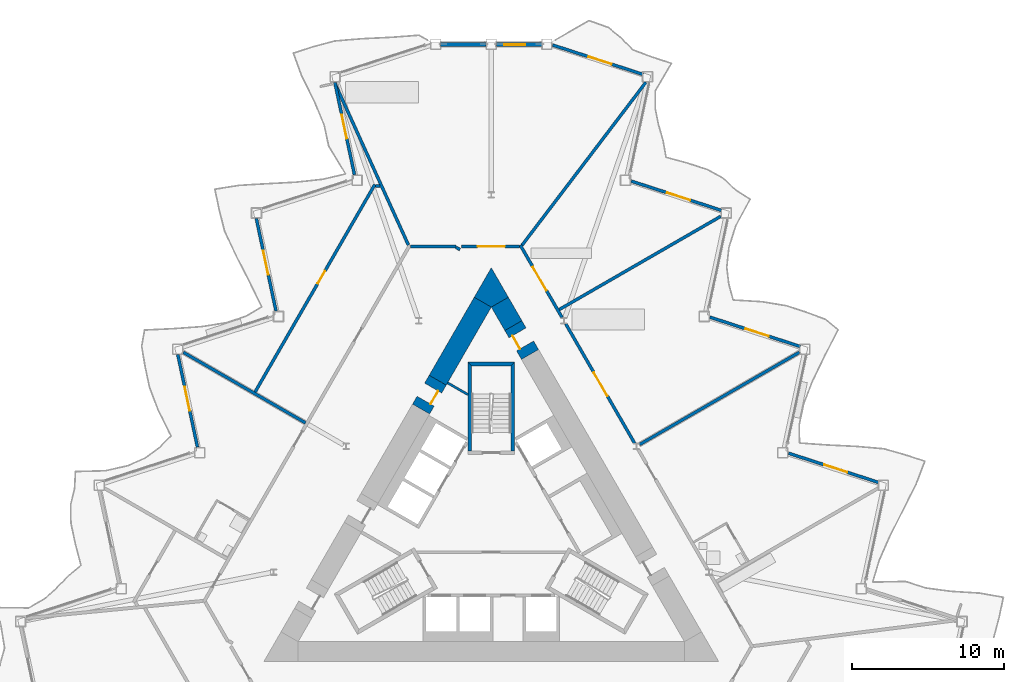
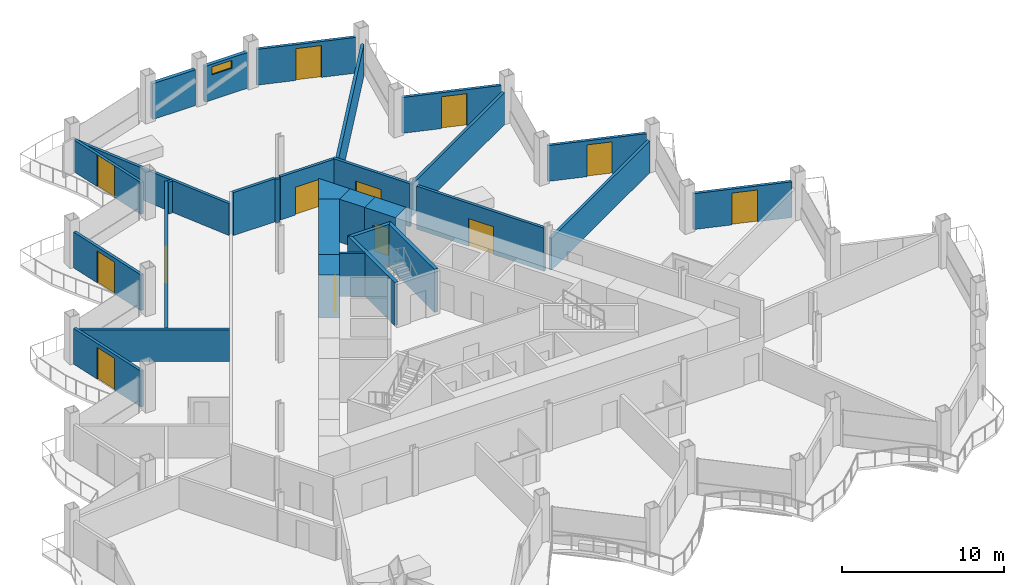
# One storey, part 14 of 23: 30 walls, 13 doors, 1 window, 14 openings.
"""IFC4 building model written with IfcOpenShell, lengths in metres."""

from ifc_helpers import new_model, si_unit, direction, frame, frame_2d, origin, place, context, subcontext, project, spatial, polyline, rectangle, outline, extrude, material, layer, layer_set, type_object, element, fill, save


model = new_model("IFC4")

# Units and contexts
model_context = context("Model", 3, precision=1e-05, world=origin(), true_north=direction((0.0, 1.0)))
body_context = subcontext(model_context, "Body", "Model", "MODEL_VIEW")
ifc_project = project(units=[si_unit("LENGTHUNIT", "METRE"), si_unit("AREAUNIT", "SQUARE_METRE"), si_unit("VOLUMEUNIT", "CUBIC_METRE"), si_unit("PLANEANGLEUNIT", "RADIAN"), si_unit("MASSUNIT", "GRAM", prefix="KILO")], contexts=[model_context])

# Site, building, storey
site_placement = place(None, origin())
site = spatial("IfcSite", under=ifc_project, at=site_placement, CompositionType="ELEMENT")
building_placement = place(site_placement, origin())
building = spatial("IfcBuilding", under=site, at=building_placement, Name="Cormorant Prow Tower", CompositionType="ELEMENT")
storey_placement = place(building_placement, frame((0.0, 0.0, 263.39990234375)))
storey = spatial("IfcBuildingStorey", under=building, at=storey_placement, Name="L59", CompositionType="ELEMENT", Elevation=263.39990234375)

# Walls
ifc_material_1 = material(Name="Gypsum board partition")
ifc_layer_1 = layer(ifc_material_1, 0.14990234375)
ifc_layer_set_1 = layer_set([ifc_layer_1], Name="Gypsum board partition")
wall_type_1 = type_object("IfcWallType", Name="Core partition 150", PredefinedType="PARTITIONING", material=ifc_layer_set_1)
wall_1_placement = place(storey_placement, frame((-2.88623046875, 9.721435546875, 0.0), z_axis=(0.0, 0.0, 1.0), x_axis=(0.865990094875, -0.500061151839, 0.0)))
element("IfcWall", 1, at=wall_1_placement, inside=storey, type_object=wall_type_1, Name="Service room partition", PredefinedType="PARTITIONING", context=body_context, shape_type="SweptSolid", body=[
    extrude(rectangle(XDim=1.559814453125, YDim=0.14990234375, at=frame_2d((0.77978515625, 0.0))), origin(), (0.0, 0.0, 1.0), 3.25),
])
ifc_material_2 = material(Name="Concrete 8000 psi", Category="concrete")
ifc_layer_2 = layer(ifc_material_2, 1.300048828125)
ifc_layer_set_2 = layer_set([ifc_layer_2], Name="Concrete 8000 psi")
wall_type_2 = type_object("IfcWallType", Name="Core shear wall 1300", PredefinedType="SHEAR", material=ifc_layer_set_2)
wall_2_placement = place(storey_placement, frame((1.4560546875, 13.49853515625, 0.0), z_axis=(0.0, 0.0, 1.0), x_axis=(-0.499990639951, 0.866030807744, 0.0)))
element("IfcWall", 2, at=wall_2_placement, inside=storey, type_object=wall_type_2, Name="Core wall", PredefinedType="SHEAR", context=body_context, shape_type="SweptSolid", body=[
    extrude(rectangle(XDim=1.7861328125, YDim=1.300048828125, at=frame_2d((0.89306640625, 0.0))), origin(), (0.0, 0.0, 1.0), 3.25),
])
wall_3_placement = place(storey_placement, frame((-0.56298828125, 15.04541015625, 0.0), z_axis=(0.0, 0.0, 1.0), x_axis=(-0.500011498138, -0.866018765229, 0.0)))
element("IfcWall", 3, at=wall_3_placement, inside=storey, type_object=wall_type_2, Name="Core wall", PredefinedType="SHEAR", context=body_context, shape_type="SweptSolid", body=[
    extrude(rectangle(XDim=5.946533203125, YDim=1.300048828125, at=frame_2d((2.97314453125, 0.0))), origin(), (0.0, 0.0, 1.0), 3.25),
])
wall_4_placement = place(storey_placement, origin())
element("IfcWall", 4, at=wall_4_placement, inside=storey, type_object=wall_type_2, Name="Core wall corner", PredefinedType="SHEAR", context=body_context, shape_type="SweptSolid", body=[
    extrude(outline(polyline([(-1.125732421875, 15.37060546875), (0.0, 17.320556640625), (1.125732421875, 15.37060546875), (0.0, 14.720458984375), (-1.125732421875, 15.37060546875)])), origin(), (0.0, 0.0, 1.0), 3.25),
])

# Wall, opening, door
wall_5_placement = place(storey_placement, frame((-3.536376953125, 9.8955078125, 0.0), z_axis=(0.0, 0.0, 1.0), x_axis=(-0.499981787252, -0.866035918664, 0.0)))
wall_5 = element("IfcWall", 5, at=wall_5_placement, inside=storey, type_object=wall_type_2, Name="Core wall door panel", PredefinedType="SHEAR", context=body_context, shape_type="SweptSolid", body=[
    extrude(rectangle(XDim=2.2001953125, YDim=1.300048828125, at=frame_2d((1.10009765625, 0.0))), origin(), (0.0, 0.0, 1.0), 3.25),
])
opening_1_placement = place(wall_5_placement, frame((0.60009765625, 0.0, 0.0)))
opening_1 = element("IfcOpeningElement", 6, at=opening_1_placement, cuts=wall_5, Name="Opening L59-C16", PredefinedType="OPENING", context=body_context, shape_type="SweptSolid", body=[
    extrude(rectangle(XDim=1.0, YDim=2.10009765625, at=frame_2d((0.5, 1.050048828125))), frame((0.0, 0.659912109375, 0.0), z_axis=(0.0, -1.0, 0.0), x_axis=(1.0, 0.0, 0.0)), (0.0, 0.0, 1.0), 1.320068359375),
])
ifc_material_3 = material(Name="Painted steel", Category="steel")
door_type_1 = type_object("IfcDoorType", Name="Service door 1000x2100", OperationType="NOTDEFINED", PredefinedType="DOOR", material=ifc_material_3)
door_1_placement = place(opening_1_placement, origin())
door_1 = element("IfcDoor", 7, at=door_1_placement, inside=storey, type_object=door_type_1, Name="Core door, Linen store", OperationType="SINGLE_SWING_LEFT", OverallHeight=2.10009765625, OverallWidth=1.0, PredefinedType="DOOR", context=body_context, shape_type="SweptSolid", body=[
    extrude(rectangle(XDim=1.0, YDim=2.10009765625, at=frame_2d((0.5, 1.050048828125))), frame((0.0, 0.40478515625, 0.0), z_axis=(0.0, -1.0, 0.0), x_axis=(1.0, 0.0, 0.0)), (0.0, 0.0, 1.0), 0.050048828125),
])
fill(opening_1, door_1)

wall_6_placement = place(storey_placement, frame((2.555908203125, 11.59326171875, 0.0), z_axis=(0.0, 0.0, 1.0), x_axis=(-0.499946605688, 0.86605622881, 0.0)))
wall_6 = element("IfcWall", 8, at=wall_6_placement, inside=storey, type_object=wall_type_2, Name="Core wall door panel", PredefinedType="SHEAR", context=body_context, shape_type="SweptSolid", body=[
    extrude(rectangle(XDim=2.199951171875, YDim=1.300048828125, at=frame_2d((1.10009765625, 0.0))), origin(), (0.0, 0.0, 1.0), 3.25),
])
opening_2_placement = place(wall_6_placement, frame((0.64990234375, 0.0, 0.0)))
opening_2 = element("IfcOpeningElement", 9, at=opening_2_placement, cuts=wall_6, Name="Opening L59-C17", PredefinedType="OPENING", context=body_context, shape_type="SweptSolid", body=[
    extrude(rectangle(XDim=1.0, YDim=2.10009765625, at=frame_2d((0.5, 1.050048828125))), frame((0.0, 0.659912109375, 0.0), z_axis=(0.0, -1.0, 0.0), x_axis=(1.0, 0.0, 0.0)), (0.0, 0.0, 1.0), 1.320068359375),
])
door_2_placement = place(opening_2_placement, origin())
door_2 = element("IfcDoor", 10, at=door_2_placement, inside=storey, type_object=door_type_1, Name="Core door, Refuse store", OperationType="SINGLE_SWING_LEFT", OverallHeight=2.10009765625, OverallWidth=1.0, PredefinedType="DOOR", context=body_context, shape_type="SweptSolid", body=[
    extrude(rectangle(XDim=1.0, YDim=2.10009765625, at=frame_2d((0.5, 1.050048828125))), frame((0.0, 0.40478515625, 0.0), z_axis=(0.0, -1.0, 0.0), x_axis=(1.0, 0.0, 0.0)), (0.0, 0.0, 1.0), 0.050048828125),
])
fill(opening_2, door_2)

ifc_material_4 = material(Name="Gypsum board corridor wall")
ifc_layer_3 = layer(ifc_material_4, 0.199951171875)
ifc_layer_set_3 = layer_set([ifc_layer_3], Name="Gypsum board corridor wall")
wall_type_3 = type_object("IfcWallType", Name="Corridor wall 200", PredefinedType="PARTITIONING", material=ifc_layer_set_3)
wall_7_placement = place(storey_placement, frame((4.91015625, 13.61572265625, 0.0), z_axis=(0.0, 0.0, 1.0), x_axis=(0.50000207303, -0.866024206917, 0.0)))
wall_7 = element("IfcWall", 11, at=wall_7_placement, inside=storey, type_object=wall_type_3, Name="Corridor wall", PredefinedType="PARTITIONING", context=body_context, shape_type="SweptSolid", body=[
    extrude(rectangle(XDim=9.0947265625, YDim=0.199951171875, at=frame_2d((4.54736328125, 0.0))), origin(), (0.0, 0.0, 1.0), 3.25),
])
opening_3_placement = place(wall_7_placement, frame((3.697998046875, 0.0, 0.0)))
opening_3 = element("IfcOpeningElement", 12, at=opening_3_placement, cuts=wall_7, Name="Opening L59-F11", PredefinedType="OPENING", context=body_context, shape_type="SweptSolid", body=[
    extrude(rectangle(XDim=1.800048828125, YDim=2.10009765625, at=frame_2d((0.89990234375, 1.050048828125))), frame((0.0, 0.10986328125, 0.0), z_axis=(0.0, -1.0, 0.0), x_axis=(1.0, 0.0, 0.0)), (0.0, 0.0, 1.0), 0.219970703125),
])
ifc_material_5 = material(Name="Timber door leaf", Category="wood")
door_type_2 = type_object("IfcDoorType", Name="Double door 1800x2100", OperationType="DOUBLE_DOOR_SINGLE_SWING", PredefinedType="DOOR", material=ifc_material_5)
door_3_placement = place(opening_3_placement, origin())
door_3 = element("IfcDoor", 13, at=door_3_placement, inside=storey, type_object=door_type_2, Name="Library door", OperationType="DOUBLE_DOOR_SINGLE_SWING", OverallHeight=2.10009765625, OverallWidth=1.800048828125, PredefinedType="DOOR", context=body_context, shape_type="SweptSolid", body=[
    extrude(rectangle(XDim=1.800048828125, YDim=2.10009765625, at=frame_2d((0.89990234375, 1.050048828125))), frame((0.0, 0.02490234375, 0.0), z_axis=(0.0, -1.0, 0.0), x_axis=(1.0, 0.0, 0.0)), (0.0, 0.0, 1.0), 0.050048828125),
])
fill(opening_3, door_3)

wall_8_placement = place(storey_placement, frame((1.9130859375, 18.80712890625, 0.0), z_axis=(0.0, 0.0, 1.0), x_axis=(0.499984524817, -0.866034338201, 0.0)))
wall_8 = element("IfcWall", 14, at=wall_8_placement, inside=storey, type_object=wall_type_3, Name="Corridor wall", PredefinedType="PARTITIONING", context=body_context, shape_type="SweptSolid", body=[
    extrude(rectangle(XDim=5.510498046875, YDim=0.199951171875, at=frame_2d((2.75537109375, 0.0))), origin(), (0.0, 0.0, 1.0), 3.25),
])
opening_4_placement = place(wall_8_placement, frame((1.654541015625, 0.0, 0.0)))
opening_4 = element("IfcOpeningElement", 15, at=opening_4_placement, cuts=wall_8, Name="Opening L59-F12", PredefinedType="OPENING", context=body_context, shape_type="SweptSolid", body=[
    extrude(rectangle(XDim=1.800048828125, YDim=2.10009765625, at=frame_2d((0.89990234375, 1.050048828125))), frame((0.0, 0.10986328125, 0.0), z_axis=(0.0, -1.0, 0.0), x_axis=(1.0, 0.0, 0.0)), (0.0, 0.0, 1.0), 0.219970703125),
])
door_4_placement = place(opening_4_placement, origin())
door_4 = element("IfcDoor", 16, at=door_4_placement, inside=storey, type_object=door_type_2, Name="Wellness studio door", OperationType="DOUBLE_DOOR_SINGLE_SWING", OverallHeight=2.10009765625, OverallWidth=1.800048828125, PredefinedType="DOOR", context=body_context, shape_type="SweptSolid", body=[
    extrude(rectangle(XDim=1.800048828125, YDim=2.10009765625, at=frame_2d((0.89990234375, 1.050048828125))), frame((0.0, 0.02490234375, 0.0), z_axis=(0.0, -1.0, 0.0), x_axis=(1.0, 0.0, 0.0)), (0.0, 0.0, 1.0), 0.050048828125),
])
fill(opening_4, door_4)

wall_9_placement = place(storey_placement, frame((-1.962890625, 18.720458984375, 0.0), z_axis=(0.0, 0.0, 1.0), x_axis=(1.0, 0.0, 0.0)))
wall_9 = element("IfcWall", 17, at=wall_9_placement, inside=storey, type_object=wall_type_3, Name="Corridor wall", PredefinedType="PARTITIONING", context=body_context, shape_type="SweptSolid", body=[
    extrude(rectangle(XDim=3.825927734375, YDim=0.199951171875, at=frame_2d((1.9130859375, 0.0))), origin(), (0.0, 0.0, 1.0), 3.25),
])
opening_5_placement = place(wall_9_placement, frame((1.06396484375, 0.0, 0.0)))
opening_5 = element("IfcOpeningElement", 18, at=opening_5_placement, cuts=wall_9, Name="Opening L59-F13", PredefinedType="OPENING", context=body_context, shape_type="SweptSolid", body=[
    extrude(rectangle(XDim=1.800048828125, YDim=2.10009765625, at=frame_2d((0.89990234375, 1.050048828125))), frame((0.0, 0.10986328125, 0.0), z_axis=(0.0, -1.0, 0.0), x_axis=(1.0, 0.0, 0.0)), (0.0, 0.0, 1.0), 0.219970703125),
])
door_5_placement = place(opening_5_placement, origin())
door_5 = element("IfcDoor", 19, at=door_5_placement, inside=storey, type_object=door_type_2, Name="Co-working space door", OperationType="DOUBLE_DOOR_SINGLE_SWING", OverallHeight=2.10009765625, OverallWidth=1.800048828125, PredefinedType="DOOR", context=body_context, shape_type="SweptSolid", body=[
    extrude(rectangle(XDim=1.800048828125, YDim=2.10009765625, at=frame_2d((0.89990234375, 1.050048828125))), frame((0.0, 0.02490234375, 0.0), z_axis=(0.0, -1.0, 0.0), x_axis=(1.0, 0.0, 0.0)), (0.0, 0.0, 1.0), 0.050048828125),
])
fill(opening_5, door_5)

# Walls
wall_10_placement = place(storey_placement, frame((-5.3271484375, 18.720458984375, 0.0), z_axis=(0.0, 0.0, 1.0), x_axis=(1.0, 0.0, 0.0)))
element("IfcWall", 20, at=wall_10_placement, inside=storey, type_object=wall_type_3, Name="Corridor wall", PredefinedType="PARTITIONING", context=body_context, shape_type="SweptSolid", body=[
    extrude(rectangle(XDim=3.002197265625, YDim=0.199951171875, at=frame_2d((1.5009765625, 0.0))), origin(), (0.0, 0.0, 1.0), 3.25),
])
wall_11_placement = place(storey_placement, frame((-2.33837890625, 18.67041015625, 0.0), z_axis=(0.0, 0.0, 1.0), x_axis=(0.866054481515, -0.499949632511, 0.0)))
element("IfcWall", 21, at=wall_11_placement, inside=storey, type_object=wall_type_3, Name="Corridor wall", PredefinedType="PARTITIONING", context=body_context, shape_type="SweptSolid", body=[
    extrude(rectangle(XDim=0.31005859375, YDim=0.199951171875, at=frame_2d((0.155029296875, 0.0))), origin(), (0.0, 0.0, 1.0), 3.25),
])

# Wall, opening, door
ifc_material_6 = material(Name="Gypsum board demising wall")
ifc_layer_4 = layer(ifc_material_6, 0.199951171875)
ifc_layer_set_4 = layer_set([ifc_layer_4], Name="Gypsum board demising wall")
wall_type_4 = type_object("IfcWallType", Name="Demising wall 200", PredefinedType="PARTITIONING", material=ifc_layer_set_4)
wall_12_placement = place(storey_placement, frame((-15.590576171875, 9.11669921875, 0.0), z_axis=(0.0, 0.0, 1.0), x_axis=(0.499994281579, 0.866028705291, 0.0)))
wall_12 = element("IfcWall", 22, at=wall_12_placement, inside=storey, type_object=wall_type_4, Name="Demising wall", PredefinedType="PARTITIONING", context=body_context, shape_type="SweptSolid", body=[
    extrude(rectangle(XDim=15.808349609375, YDim=0.199951171875, at=frame_2d((7.904296875, 0.0))), origin(), (0.0, 0.0, 1.0), 2.404296875),
])
opening_6_placement = place(wall_12_placement, frame((8.28271484375, 0.0, 0.0)))
opening_6 = element("IfcOpeningElement", 23, at=opening_6_placement, cuts=wall_12, Name="Opening L59-F15", PredefinedType="OPENING", context=body_context, shape_type="SweptSolid", body=[
    extrude(rectangle(XDim=0.949951171875, YDim=2.10009765625, at=frame_2d((0.47509765625, 1.050048828125))), frame((0.0, 0.10986328125, 0.0), z_axis=(0.0, -1.0, 0.0), x_axis=(1.0, 0.0, 0.0)), (0.0, 0.0, 1.0), 0.219970703125),
])
ifc_material_7 = material(Name="Timber door leaf", Category="wood")
door_type_3 = type_object("IfcDoorType", Name="Store door 950x2100", OperationType="NOTDEFINED", PredefinedType="DOOR", material=ifc_material_7)
door_6_placement = place(opening_6_placement, origin())
door_6 = element("IfcDoor", 24, at=door_6_placement, inside=storey, type_object=door_type_3, Name="Ice and vending room door", OperationType="SINGLE_SWING_LEFT", OverallHeight=2.10009765625, OverallWidth=0.949951171875, PredefinedType="DOOR", context=body_context, shape_type="SweptSolid", body=[
    extrude(rectangle(XDim=0.949951171875, YDim=2.10009765625, at=frame_2d((0.47509765625, 1.050048828125))), frame((0.0, 0.02490234375, 0.0), z_axis=(0.0, -1.0, 0.0), x_axis=(1.0, 0.0, 0.0)), (0.0, 0.0, 1.0), 0.050048828125),
])
fill(opening_6, door_6)

# Walls
wall_13_placement = place(storey_placement, frame((2.023681640625, 18.800048828125, 0.0), z_axis=(0.0, 0.0, 1.0), x_axis=(0.605225740135, 0.796053894832, 0.0)))
element("IfcWall", 25, at=wall_13_placement, inside=storey, type_object=wall_type_4, Name="Demising wall", PredefinedType="PARTITIONING", context=body_context, shape_type="SweptSolid", body=[
    extrude(rectangle(XDim=13.511474609375, YDim=0.199951171875, at=frame_2d((6.755859375, 0.0))), origin(), (0.0, 0.0, 1.0), 2.404296875),
])
wall_14_placement = place(storey_placement, frame((4.482421875, 14.556884765625, 0.0), z_axis=(0.0, 0.0, 1.0), x_axis=(0.866030620616, 0.499990964073, 0.0)))
element("IfcWall", 26, at=wall_14_placement, inside=storey, type_object=wall_type_4, Name="Demising wall", PredefinedType="PARTITIONING", context=body_context, shape_type="SweptSolid", body=[
    extrude(rectangle(XDim=12.304443359375, YDim=0.199951171875, at=frame_2d((6.15234375, 0.0))), origin(), (0.0, 0.0, 1.0), 2.404296875),
])
wall_15_placement = place(storey_placement, frame((9.7880859375, 5.651123046875, 0.0), z_axis=(0.0, 0.0, 1.0), x_axis=(0.866024549986, 0.50000147882, 0.0)))
element("IfcWall", 27, at=wall_15_placement, inside=storey, type_object=wall_type_4, Name="Demising wall", PredefinedType="PARTITIONING", context=body_context, shape_type="SweptSolid", body=[
    extrude(rectangle(XDim=12.1689453125, YDim=0.199951171875, at=frame_2d((6.08447265625, 0.0))), origin(), (0.0, 0.0, 1.0), 2.404296875),
])
wall_16_placement = place(storey_placement, origin())
element("IfcWall", 28, at=wall_16_placement, inside=storey, type_object=wall_type_4, Name="Demising wall", PredefinedType="PARTITIONING", context=body_context, shape_type="SweptSolid", body=[
    extrude(outline(polyline([(-5.5595703125, 18.77001953125), (-10.0166015625, 28.58203125), (-10.209716796875, 29.490966796875), (-5.37744140625, 18.852783203125), (-5.5595703125, 18.77001953125)])), origin(), (0.0, 0.0, 1.0), 2.404296875),
])
wall_17_placement = place(storey_placement, frame((-20.32666015625, 11.735595703125, 0.0), z_axis=(0.0, 0.0, 1.0), x_axis=(0.866022277917, -0.500005414122, 0.0)))
element("IfcWall", 29, at=wall_17_placement, inside=storey, type_object=wall_type_4, Name="Demising wall", PredefinedType="PARTITIONING", context=body_context, shape_type="SweptSolid", body=[
    extrude(rectangle(XDim=9.31103515625, YDim=0.199951171875, at=frame_2d((4.655517578125, 0.0))), origin(), (0.0, 0.0, 1.0), 2.404296875),
])
wall_18_placement = place(storey_placement, frame((-7.636474609375, 22.720458984375, 0.0), z_axis=(0.0, 0.0, 1.0), x_axis=(1.0, 0.0, 0.0)))
element("IfcWall", 30, at=wall_18_placement, inside=storey, type_object=wall_type_4, Name="Demising wall", PredefinedType="PARTITIONING", context=body_context, shape_type="SweptSolid", body=[
    extrude(rectangle(XDim=0.292236328125, YDim=0.199951171875, at=frame_2d((0.14599609375, 0.0))), origin(), (0.0, 0.0, 1.0), 2.404296875),
])
ifc_material_8 = material(Name="Concrete 8000 psi", Category="concrete")
ifc_layer_5 = layer(ifc_material_8, 0.25)
ifc_layer_set_5 = layer_set([ifc_layer_5], Name="Concrete 8000 psi")
wall_type_5 = type_object("IfcWallType", Name="Stair wall 250", PredefinedType="SHEAR", material=ifc_layer_set_5)
wall_19_placement = place(storey_placement, origin())
element("IfcWall", 31, at=wall_19_placement, inside=storey, type_object=wall_type_5, Name="Stair ST3 enclosure wall (flank)", PredefinedType="SHEAR", context=body_context, shape_type="SweptSolid", body=[
    extrude(outline(polyline([(1.5439453125, 5.23681640625), (1.5439453125, 11.0869140625), (1.2939453125, 10.8369140625), (1.2939453125, 5.23681640625), (1.5439453125, 5.23681640625)])), origin(), (0.0, 0.0, 1.0), 3.25),
])
wall_20_placement = place(storey_placement, origin())
element("IfcWall", 32, at=wall_20_placement, inside=storey, type_object=wall_type_5, Name="Stair ST3 enclosure wall (end)", PredefinedType="SHEAR", context=body_context, shape_type="SweptSolid", body=[
    extrude(outline(polyline([(1.5439453125, 11.0869140625), (-1.5439453125, 11.0869140625), (-1.2939453125, 10.8369140625), (1.2939453125, 10.8369140625), (1.5439453125, 11.0869140625)])), origin(), (0.0, 0.0, 1.0), 3.25),
])
wall_21_placement = place(storey_placement, origin())
element("IfcWall", 33, at=wall_21_placement, inside=storey, type_object=wall_type_5, Name="Stair ST3 enclosure wall (flank)", PredefinedType="SHEAR", context=body_context, shape_type="SweptSolid", body=[
    extrude(outline(polyline([(-1.2939453125, 10.8369140625), (-1.5439453125, 11.0869140625), (-1.5439453125, 5.23681640625), (-1.2939453125, 5.23681640625), (-1.2939453125, 10.8369140625)])), origin(), (0.0, 0.0, 1.0), 3.25),
])

# Wall, opening, window
ifc_material_9 = material(Name="Terracotta", Category="masonry")
ifc_layer_6 = layer(ifc_material_9, 0.25)
ifc_layer_set_6 = layer_set([ifc_layer_6], Name="Terracotta")
wall_type_6 = type_object("IfcWallType", Name="Terracotta bay wall 250", PredefinedType="SOLIDWALL", material=ifc_layer_set_6)
wall_22_placement = place(storey_placement, frame((3.391845703125, 32.044677734375, 0.0), z_axis=(0.0, 0.0, 1.0), x_axis=(-1.0, 0.0, 0.0)))
wall_22 = element("IfcWall", 34, at=wall_22_placement, inside=storey, type_object=wall_type_6, Name="Terracotta bay wall N00", PredefinedType="SOLIDWALL", context=body_context, shape_type="SweptSolid", body=[
    extrude(rectangle(XDim=3.041748046875, YDim=0.25, at=frame_2d((1.52099609375, 0.0))), origin(), (0.0, 0.0, 1.0), 2.700927734375),
])
opening_7_placement = place(wall_22_placement, frame((1.14990234375, 0.0, 1.89990234375)))
opening_7 = element("IfcOpeningElement", 35, at=opening_7_placement, cuts=wall_22, Name="Opening WN6", PredefinedType="OPENING", context=body_context, shape_type="SweptSolid", body=[
    extrude(rectangle(XDim=1.39990234375, YDim=0.60009765625, at=frame_2d((0.699951171875, 0.300048828125))), frame((0.0, 0.135009765625, 0.0), z_axis=(0.0, -1.0, 0.0), x_axis=(1.0, 0.0, 0.0)), (0.0, 0.0, 1.0), 0.27001953125),
])
ifc_material_10 = material(Name="Aluminium 6063-T6", Category="aluminium")
window_type = type_object("IfcWindowType", Name="Corner bay window 1400x600", PartitioningType="SINGLE_PANEL", PredefinedType="WINDOW", material=ifc_material_10)
window_placement = place(opening_7_placement, origin())
window = element("IfcWindow", 36, at=window_placement, inside=storey, type_object=window_type, Name="Corner bay window N00", OverallHeight=0.60009765625, OverallWidth=1.39990234375, PartitioningType="SINGLE_PANEL", PredefinedType="WINDOW", context=body_context, shape_type="SweptSolid", body=[
    extrude(rectangle(XDim=1.39990234375, YDim=0.60009765625, at=frame_2d((0.699951171875, 0.300048828125))), frame((0.0, 0.030029296875, 0.0), z_axis=(0.0, -1.0, 0.0), x_axis=(1.0, 0.0, 0.0)), (0.0, 0.0, 1.0), 0.06005859375),
])
fill(opening_7, window)

# Wall
wall_23_placement = place(storey_placement, frame((-0.35009765625, 32.044677734375, 0.0), z_axis=(0.0, 0.0, 1.0), x_axis=(-1.0, 0.0, 0.0)))
element("IfcWall", 37, at=wall_23_placement, inside=storey, type_object=wall_type_6, Name="Terracotta bay wall N01", PredefinedType="SOLIDWALL", context=body_context, shape_type="SweptSolid", body=[
    extrude(rectangle(XDim=3.041748046875, YDim=0.25, at=frame_2d((1.52099609375, 0.0))), origin(), (0.0, 0.0, 1.0), 2.700927734375),
])

# Wall, opening, door
ifc_material_11 = material(Name="Terracotta", Category="masonry")
ifc_layer_7 = layer(ifc_material_11, 0.199951171875)
ifc_layer_set_7 = layer_set([ifc_layer_7], Name="Terracotta")
wall_type_7 = type_object("IfcWallType", Name="Terracotta jamb wall 200", PredefinedType="SOLIDWALL", material=ifc_layer_set_7)
wall_24_placement = place(storey_placement, frame((25.566162109375, 3.14453125, 0.0), z_axis=(0.0, 0.0, 1.0), x_axis=(-0.951057270474, 0.309014673241, 0.0)))
wall_24 = element("IfcWall", 38, at=wall_24_placement, inside=storey, type_object=wall_type_7, Name="Terracotta jamb wall ENE03", PredefinedType="SOLIDWALL", context=body_context, shape_type="SweptSolid", body=[
    extrude(rectangle(XDim=6.262939453125, YDim=0.199951171875, at=frame_2d((3.13134765625, 0.0))), origin(), (0.0, 0.0, 1.0), 2.700927734375),
])
opening_8_placement = place(wall_24_placement, frame((2.18603515625, 0.0, 0.0)))
opening_8 = element("IfcOpeningElement", 39, at=opening_8_placement, cuts=wall_24, Name="Opening ED59.07", PredefinedType="OPENING", context=body_context, shape_type="SweptSolid", body=[
    extrude(rectangle(XDim=1.60009765625, YDim=2.39990234375, at=frame_2d((0.800048828125, 1.199951171875))), frame((0.0, 0.10986328125, 0.0), z_axis=(0.0, -1.0, 0.0), x_axis=(1.0, 0.0, 0.0)), (0.0, 0.0, 1.0), 0.219970703125),
])
ifc_material_12 = material(Name="Aluminium 6063-T6", Category="aluminium")
door_type_4 = type_object("IfcDoorType", Name="Balcony door 1600x2400", OperationType="DOUBLE_DOOR_SINGLE_SWING", PredefinedType="DOOR", material=ifc_material_12)
door_7_placement = place(opening_8_placement, origin())
door_7 = element("IfcDoor", 40, at=door_7_placement, inside=storey, type_object=door_type_4, Name="Balcony door ENE03 ED59.07", OperationType="DOUBLE_DOOR_SINGLE_SWING", OverallHeight=2.39990234375, OverallWidth=1.60009765625, PredefinedType="DOOR", context=body_context, shape_type="SweptSolid", body=[
    extrude(rectangle(XDim=1.60009765625, YDim=2.39990234375, at=frame_2d((0.800048828125, 1.199951171875))), frame((0.0, 0.02490234375, 0.0), z_axis=(0.0, -1.0, 0.0), x_axis=(1.0, 0.0, 0.0)), (0.0, 0.0, 1.0), 0.050048828125),
])
fill(opening_8, door_7)

wall_25_placement = place(storey_placement, frame((20.383544921875, 12.12109375, 0.0), z_axis=(0.0, 0.0, 1.0), x_axis=(-0.951051239427, 0.309033234433, 0.0)))
wall_25 = element("IfcWall", 41, at=wall_25_placement, inside=storey, type_object=wall_type_7, Name="Terracotta jamb wall ENE05", PredefinedType="SOLIDWALL", context=body_context, shape_type="SweptSolid", body=[
    extrude(rectangle(XDim=6.268798828125, YDim=0.199951171875, at=frame_2d((3.13427734375, 0.0))), origin(), (0.0, 0.0, 1.0), 2.700927734375),
])
opening_9_placement = place(wall_25_placement, frame((2.18603515625, 0.0, 0.0)))
opening_9 = element("IfcOpeningElement", 42, at=opening_9_placement, cuts=wall_25, Name="Opening ED59.08", PredefinedType="OPENING", context=body_context, shape_type="SweptSolid", body=[
    extrude(rectangle(XDim=1.60009765625, YDim=2.39990234375, at=frame_2d((0.800048828125, 1.199951171875))), frame((0.0, 0.10986328125, 0.0), z_axis=(0.0, -1.0, 0.0), x_axis=(1.0, 0.0, 0.0)), (0.0, 0.0, 1.0), 0.219970703125),
])
door_8_placement = place(opening_9_placement, origin())
door_8 = element("IfcDoor", 43, at=door_8_placement, inside=storey, type_object=door_type_4, Name="Balcony door ENE05 ED59.08", OperationType="DOUBLE_DOOR_SINGLE_SWING", OverallHeight=2.39990234375, OverallWidth=1.60009765625, PredefinedType="DOOR", context=body_context, shape_type="SweptSolid", body=[
    extrude(rectangle(XDim=1.60009765625, YDim=2.39990234375, at=frame_2d((0.800048828125, 1.199951171875))), frame((0.0, 0.02490234375, 0.0), z_axis=(0.0, -1.0, 0.0), x_axis=(1.0, 0.0, 0.0)), (0.0, 0.0, 1.0), 0.050048828125),
])
fill(opening_9, door_8)

wall_26_placement = place(storey_placement, frame((15.200927734375, 21.09765625, 0.0), z_axis=(0.0, 0.0, 1.0), x_axis=(-0.95105665506, 0.309016567299, 0.0)))
wall_26 = element("IfcWall", 44, at=wall_26_placement, inside=storey, type_object=wall_type_7, Name="Terracotta jamb wall ENE07", PredefinedType="SOLIDWALL", context=body_context, shape_type="SweptSolid", body=[
    extrude(rectangle(XDim=6.274658203125, YDim=0.199951171875, at=frame_2d((3.13720703125, 0.0))), origin(), (0.0, 0.0, 1.0), 2.700927734375),
])
opening_10_placement = place(wall_26_placement, frame((2.18603515625, 0.0, 0.0)))
opening_10 = element("IfcOpeningElement", 45, at=opening_10_placement, cuts=wall_26, Name="Opening ED59.09", PredefinedType="OPENING", context=body_context, shape_type="SweptSolid", body=[
    extrude(rectangle(XDim=1.60009765625, YDim=2.39990234375, at=frame_2d((0.800048828125, 1.199951171875))), frame((0.0, 0.10986328125, 0.0), z_axis=(0.0, -1.0, 0.0), x_axis=(1.0, 0.0, 0.0)), (0.0, 0.0, 1.0), 0.219970703125),
])
door_9_placement = place(opening_10_placement, origin())
door_9 = element("IfcDoor", 46, at=door_9_placement, inside=storey, type_object=door_type_4, Name="Balcony door ENE07 ED59.09", OperationType="DOUBLE_DOOR_SINGLE_SWING", OverallHeight=2.39990234375, OverallWidth=1.60009765625, PredefinedType="DOOR", context=body_context, shape_type="SweptSolid", body=[
    extrude(rectangle(XDim=1.60009765625, YDim=2.39990234375, at=frame_2d((0.800048828125, 1.199951171875))), frame((0.0, 0.02490234375, 0.0), z_axis=(0.0, -1.0, 0.0), x_axis=(1.0, 0.0, 0.0)), (0.0, 0.0, 1.0), 0.050048828125),
])
fill(opening_10, door_9)

wall_27_placement = place(storey_placement, frame((10.018310546875, 30.074462890625, 0.0), z_axis=(0.0, 0.0, 1.0), x_axis=(-0.951062060282, 0.308999931218, 0.0)))
wall_27 = element("IfcWall", 47, at=wall_27_placement, inside=storey, type_object=wall_type_7, Name="Terracotta jamb wall ENE09", PredefinedType="SOLIDWALL", context=body_context, shape_type="SweptSolid", body=[
    extrude(rectangle(XDim=6.280517578125, YDim=0.199951171875, at=frame_2d((3.14013671875, 0.0))), origin(), (0.0, 0.0, 1.0), 2.700927734375),
])
opening_11_placement = place(wall_27_placement, frame((2.18603515625, 0.0, 0.0)))
opening_11 = element("IfcOpeningElement", 48, at=opening_11_placement, cuts=wall_27, Name="Opening ED59.10", PredefinedType="OPENING", context=body_context, shape_type="SweptSolid", body=[
    extrude(rectangle(XDim=1.60009765625, YDim=2.39990234375, at=frame_2d((0.800048828125, 1.199951171875))), frame((0.0, 0.10986328125, 0.0), z_axis=(0.0, -1.0, 0.0), x_axis=(1.0, 0.0, 0.0)), (0.0, 0.0, 1.0), 0.219970703125),
])
door_10_placement = place(opening_11_placement, origin())
door_10 = element("IfcDoor", 49, at=door_10_placement, inside=storey, type_object=door_type_4, Name="Balcony door ENE09 ED59.10", OperationType="DOUBLE_DOOR_SINGLE_SWING", OverallHeight=2.39990234375, OverallWidth=1.60009765625, PredefinedType="DOOR", context=body_context, shape_type="SweptSolid", body=[
    extrude(rectangle(XDim=1.60009765625, YDim=2.39990234375, at=frame_2d((0.800048828125, 1.199951171875))), frame((0.0, 0.02490234375, 0.0), z_axis=(0.0, -1.0, 0.0), x_axis=(1.0, 0.0, 0.0)), (0.0, 0.0, 1.0), 0.050048828125),
])
fill(opening_11, door_10)

wall_28_placement = place(storey_placement, frame((-10.32373046875, 29.54541015625, 0.0), z_axis=(0.0, 0.0, 1.0), x_axis=(0.207930490886, -0.978143604467, 0.0)))
wall_28 = element("IfcWall", 50, at=wall_28_placement, inside=storey, type_object=wall_type_7, Name="Terracotta jamb wall WNW01", PredefinedType="SOLIDWALL", context=body_context, shape_type="SweptSolid", body=[
    extrude(rectangle(XDim=6.227783203125, YDim=0.199951171875, at=frame_2d((3.11376953125, 0.0))), origin(), (0.0, 0.0, 1.0), 2.404296875),
])
opening_12_placement = place(wall_28_placement, frame((2.18603515625, 0.0, 0.0)))
opening_12 = element("IfcOpeningElement", 51, at=opening_12_placement, cuts=wall_28, Name="Opening ED59.11", PredefinedType="OPENING", context=body_context, shape_type="SweptSolid", body=[
    extrude(rectangle(XDim=1.60009765625, YDim=2.39990234375, at=frame_2d((0.800048828125, 1.199951171875))), frame((0.0, 0.10986328125, 0.0), z_axis=(0.0, -1.0, 0.0), x_axis=(1.0, 0.0, 0.0)), (0.0, 0.0, 1.0), 0.219970703125),
])
door_11_placement = place(opening_12_placement, origin())
door_11 = element("IfcDoor", 52, at=door_11_placement, inside=storey, type_object=door_type_4, Name="Balcony door WNW01 ED59.11", OperationType="DOUBLE_DOOR_SINGLE_SWING", OverallHeight=2.39990234375, OverallWidth=1.60009765625, PredefinedType="DOOR", context=body_context, shape_type="SweptSolid", body=[
    extrude(rectangle(XDim=1.60009765625, YDim=2.39990234375, at=frame_2d((0.800048828125, 1.199951171875))), frame((0.0, 0.02490234375, 0.0), z_axis=(0.0, -1.0, 0.0), x_axis=(1.0, 0.0, 0.0)), (0.0, 0.0, 1.0), 0.050048828125),
])
fill(opening_12, door_11)

wall_29_placement = place(storey_placement, frame((-15.50634765625, 20.56884765625, 0.0), z_axis=(0.0, 0.0, 1.0), x_axis=(0.207911652145, -0.978147608954, 0.0)))
wall_29 = element("IfcWall", 53, at=wall_29_placement, inside=storey, type_object=wall_type_7, Name="Terracotta jamb wall WNW03", PredefinedType="SOLIDWALL", context=body_context, shape_type="SweptSolid", body=[
    extrude(rectangle(XDim=6.237548828125, YDim=0.199951171875, at=frame_2d((3.11865234375, 0.0))), origin(), (0.0, 0.0, 1.0), 2.700927734375),
])
opening_13_placement = place(wall_29_placement, frame((2.18603515625, 0.0, 0.0)))
opening_13 = element("IfcOpeningElement", 54, at=opening_13_placement, cuts=wall_29, Name="Opening ED59.12", PredefinedType="OPENING", context=body_context, shape_type="SweptSolid", body=[
    extrude(rectangle(XDim=1.60009765625, YDim=2.39990234375, at=frame_2d((0.800048828125, 1.199951171875))), frame((0.0, 0.10986328125, 0.0), z_axis=(0.0, -1.0, 0.0), x_axis=(1.0, 0.0, 0.0)), (0.0, 0.0, 1.0), 0.219970703125),
])
door_12_placement = place(opening_13_placement, origin())
door_12 = element("IfcDoor", 55, at=door_12_placement, inside=storey, type_object=door_type_4, Name="Balcony door WNW03 ED59.12", OperationType="DOUBLE_DOOR_SINGLE_SWING", OverallHeight=2.39990234375, OverallWidth=1.60009765625, PredefinedType="DOOR", context=body_context, shape_type="SweptSolid", body=[
    extrude(rectangle(XDim=1.60009765625, YDim=2.39990234375, at=frame_2d((0.800048828125, 1.199951171875))), frame((0.0, 0.02490234375, 0.0), z_axis=(0.0, -1.0, 0.0), x_axis=(1.0, 0.0, 0.0)), (0.0, 0.0, 1.0), 0.050048828125),
])
fill(opening_13, door_12)

wall_30_placement = place(storey_placement, frame((-20.68896484375, 11.592041015625, 0.0), z_axis=(0.0, 0.0, 1.0), x_axis=(0.207900820141, -0.978149911304, 0.0)))
wall_30 = element("IfcWall", 56, at=wall_30_placement, inside=storey, type_object=wall_type_7, Name="Terracotta jamb wall WNW05", PredefinedType="SOLIDWALL", context=body_context, shape_type="SweptSolid", body=[
    extrude(rectangle(XDim=6.247314453125, YDim=0.199951171875, at=frame_2d((3.12353515625, 0.0))), origin(), (0.0, 0.0, 1.0), 2.700927734375),
])
opening_14_placement = place(wall_30_placement, frame((2.18603515625, 0.0, 0.0)))
opening_14 = element("IfcOpeningElement", 57, at=opening_14_placement, cuts=wall_30, Name="Opening ED59.13", PredefinedType="OPENING", context=body_context, shape_type="SweptSolid", body=[
    extrude(rectangle(XDim=1.60009765625, YDim=2.39990234375, at=frame_2d((0.800048828125, 1.199951171875))), frame((0.0, 0.10986328125, 0.0), z_axis=(0.0, -1.0, 0.0), x_axis=(1.0, 0.0, 0.0)), (0.0, 0.0, 1.0), 0.219970703125),
])
door_13_placement = place(opening_14_placement, origin())
door_13 = element("IfcDoor", 58, at=door_13_placement, inside=storey, type_object=door_type_4, Name="Balcony door WNW05 ED59.13", OperationType="DOUBLE_DOOR_SINGLE_SWING", OverallHeight=2.39990234375, OverallWidth=1.60009765625, PredefinedType="DOOR", context=body_context, shape_type="SweptSolid", body=[
    extrude(rectangle(XDim=1.60009765625, YDim=2.39990234375, at=frame_2d((0.800048828125, 1.199951171875))), frame((0.0, 0.02490234375, 0.0), z_axis=(0.0, -1.0, 0.0), x_axis=(1.0, 0.0, 0.0)), (0.0, 0.0, 1.0), 0.050048828125),
])
fill(opening_14, door_13)

save(model, "model.ifc")
